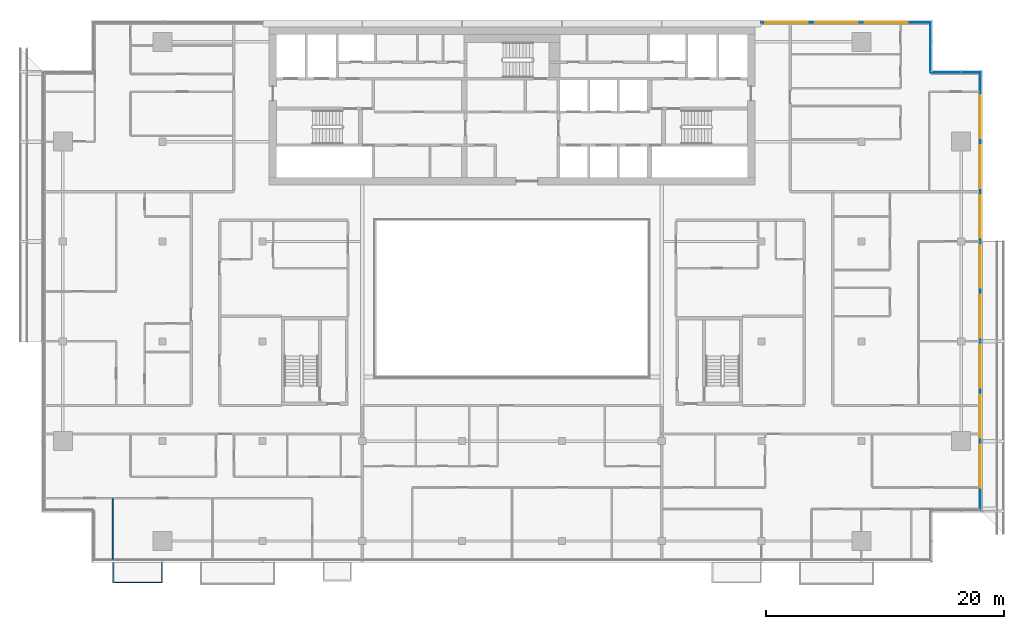
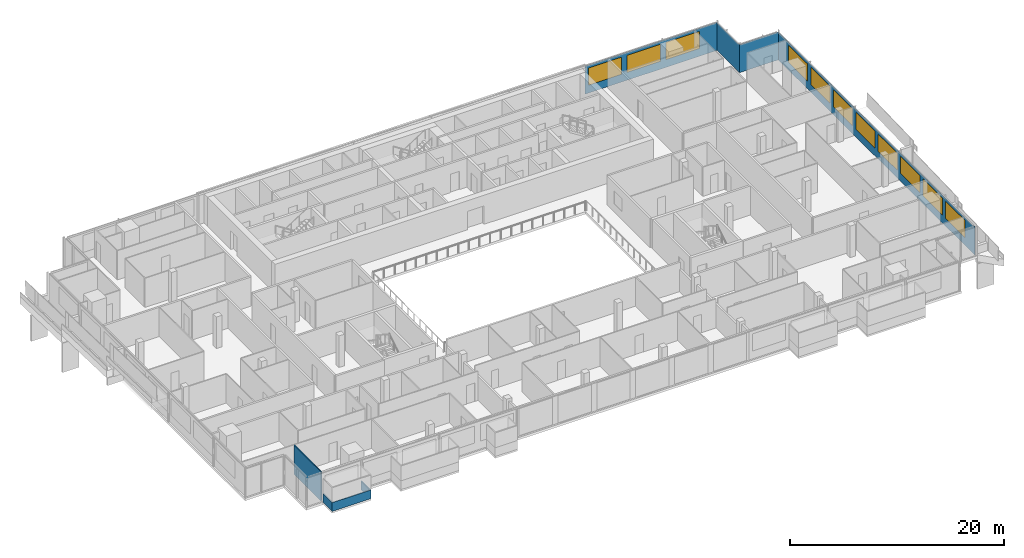
# One storey, part 17 of 29: 11 windows, 4 plates, 2 walls, 11 openings, 4 elements without a shape of their own.
"""IFC4 building model written with IfcOpenShell, lengths in metres."""

import ifcopenshell
import ifcopenshell.guid

model = None  # the IFC model being written
_history = None  # IfcOwnerHistory: only IFC2X3 demands one
_inside = {}  # id of a spatial element -> (the spatial element, [elements in it])
_under = {}  # id of a project, library or spatial element -> (it, [spatial elements below it])
_declared = {}  # id of a project -> (the project, [libraries it declares])
_typed = {}  # id of a type object -> (the type object, [elements of that type])
_made_of = {}  # id of a material, layer set ... -> (it, [elements and type objects made of it])


def new_model(schema):
    """Start an empty IFC model of exactly this schema.

    Asked for "IFC4X3", IfcOpenShell would pick the latest addendum, in which some entities
    have other attributes; the version numbers below select the first issue.
    IFC2X3 requires an IfcOwnerHistory on every rooted entity: one is made here for all.
    """
    global model, _history
    if schema == "IFC4X3":
        model = ifcopenshell.file(schema_version=(4, 3, 0, 0))
    else:
        model = ifcopenshell.file(schema=schema)
    _inside.clear()
    _under.clear()
    _declared.clear()
    _typed.clear()
    _made_of.clear()
    _history = None
    if model.schema == "IFC2X3":
        org = make("IfcOrganization", Name="unknown")
        user = make(
            "IfcPersonAndOrganization",
            ThePerson=make("IfcPerson", FamilyName="unknown"),
            TheOrganization=org,
        )
        app = make(
            "IfcApplication",
            ApplicationDeveloper=org,
            Version="unknown",
            ApplicationFullName="unknown",
            ApplicationIdentifier="unknown",
        )
        _history = make(
            "IfcOwnerHistory",
            OwningUser=user,
            OwningApplication=app,
            ChangeAction="ADDED",
            CreationDate=0,
        )
    return model


def make(cls, **values):
    """One entity of the class cls with the attributes given. An attribute that is None is left unset."""
    return model.create_entity(
        cls, **{name: value for name, value in values.items() if value is not None}
    )


def rooted(cls, **values):
    """An entity with a GlobalId (a new one), such as an element, a storey or a relation."""
    return make(cls, GlobalId=ifcopenshell.guid.new(), OwnerHistory=_history, **values)


def si_unit(unit_type, name, prefix=None):
    """IfcSIUnit, for example si_unit("LENGTHUNIT", "METRE", prefix="MILLI")."""
    return make("IfcSIUnit", UnitType=unit_type, Prefix=prefix, Name=name)


def assignment(units):
    """IfcUnitAssignment: the units of a project."""
    return None if units is None else make("IfcUnitAssignment", Units=units)


def point(xyz):
    """IfcCartesianPoint."""
    return None if xyz is None else make("IfcCartesianPoint", Coordinates=xyz)


def direction(xyz):
    """IfcDirection."""
    return None if xyz is None else make("IfcDirection", DirectionRatios=xyz)


def frame(location, z_axis=None, x_axis=None):
    """IfcAxis2Placement3D, a coordinate frame: its origin and axes. An axis left out is left unset."""
    return make(
        "IfcAxis2Placement3D",
        Location=point(location),
        Axis=direction(z_axis),
        RefDirection=direction(x_axis),
    )


def frame_2d(location, x_axis=None):
    """IfcAxis2Placement2D, a coordinate frame in the plane: its origin and x axis."""
    return make(
        "IfcAxis2Placement2D", Location=point(location), RefDirection=direction(x_axis)
    )


def origin():
    """The frame at (0, 0, 0) with its axes left unset."""
    return frame((0.0, 0.0, 0.0))


def place(relative_to, where):
    """IfcLocalPlacement: puts the frame where relative to a parent placement (None: the world)."""
    return make(
        "IfcLocalPlacement", PlacementRelTo=relative_to, RelativePlacement=where
    )


def context(
    kind, dimensions, precision=None, world=None, true_north=None, identifier=None
):
    """IfcGeometricRepresentationContext, for example the 3D "Model" context."""
    return make(
        "IfcGeometricRepresentationContext",
        ContextIdentifier=identifier,
        ContextType=kind,
        CoordinateSpaceDimension=dimensions,
        Precision=precision,
        WorldCoordinateSystem=world,
        TrueNorth=true_north,
    )


def subcontext(parent, identifier, kind, view, scale=None):
    """IfcGeometricRepresentationSubContext, for example "Body" below "Model"."""
    return make(
        "IfcGeometricRepresentationSubContext",
        ContextIdentifier=identifier,
        ContextType=kind,
        ParentContext=parent,
        TargetScale=scale,
        TargetView=view,
    )


def project(units=None, contexts=None):
    """IfcProject with its units and contexts."""
    return rooted(
        "IfcProject",
        Name="project",
        RepresentationContexts=contexts,
        UnitsInContext=assignment(units),
    )


def spatial(cls, under=None, at=None, **own):
    """A site, building, storey or space (cls), placed at a placement, below another one or the project."""
    s = rooted(cls, ObjectPlacement=at, **own)
    if under is not None:
        _under.setdefault(under.id(), (under, []))[1].append(s)
    return s


def polyline(points):
    """IfcPolyline through the points."""
    return make("IfcPolyline", Points=[point(p) for p in points])


def profile(cls, at=None, kind="AREA", **sizes):
    """A parametric profile (cls). Its sizes go by their IFC names, for example OverallWidth=200.0."""
    return make(cls, ProfileType=kind, Position=at, **sizes)


def rectangle(**sizes):
    """IfcRectangleProfileDef."""
    return profile("IfcRectangleProfileDef", **sizes)


def outline(outer, holes=None, kind="AREA"):
    """IfcArbitraryClosedProfileDef: a profile drawn as a closed curve; with holes, ...WithVoids."""
    if holes is None:
        return make("IfcArbitraryClosedProfileDef", ProfileType=kind, OuterCurve=outer)
    return make(
        "IfcArbitraryProfileDefWithVoids",
        ProfileType=kind,
        OuterCurve=outer,
        InnerCurves=holes,
    )


def extrude(swept, where, along, depth):
    """IfcExtrudedAreaSolid: the profile swept, set in the frame where, extruded along a direction by depth."""
    return make(
        "IfcExtrudedAreaSolid",
        SweptArea=swept,
        Position=where,
        ExtrudedDirection=direction(along),
        Depth=depth,
    )


def shape(context_of_items, identifier, shape_type, items):
    """IfcShapeRepresentation: the items that make up one representation, for example the "Body"."""
    return make(
        "IfcShapeRepresentation",
        ContextOfItems=context_of_items,
        RepresentationIdentifier=identifier,
        RepresentationType=shape_type,
        Items=items,
    )


def material(Name=None, Category=None):
    """IfcMaterial."""
    return make("IfcMaterial", Name=Name, Category=Category)


def layer(
    of_material, thickness, ventilated=None, Name=None, Category=None, Priority=None
):
    """IfcMaterialLayer: one layer of a wall or slab, of a material (None: an air gap)."""
    return make(
        "IfcMaterialLayer",
        Material=of_material,
        LayerThickness=thickness,
        IsVentilated=ventilated,
        Name=Name,
        Category=Category,
        Priority=Priority,
    )


def layer_set(layers, Name=None):
    """IfcMaterialLayerSet."""
    return make("IfcMaterialLayerSet", MaterialLayers=layers, LayerSetName=Name)


def made_of(thing, what):
    """Note that an element or type object is made of a material, layer set ...; save() writes the relation."""
    if what is not None:
        _made_of.setdefault(what.id(), (what, []))[1].append(thing)
    return thing


def type_object(cls, material=None, **own):
    """A type object (cls), such as IfcWallType, which elements share."""
    return made_of(rooted(cls, **own), material)


def element(
    cls,
    number,
    at=None,
    inside=None,
    cuts=None,
    type_object=None,
    material=None,
    context=None,
    identifier="Body",
    shape_type=None,
    held_by="IfcProductDefinitionShape",
    body=None,
    shapes=None,
    **own,
):
    """One element of the class cls, such as IfcWall. Its Tag is "e" and its number.

    at: its placement. inside: the storey or other place that contains it. cuts: it is an
    opening in that element (IfcRelVoidsElement). A single representation is given by context,
    identifier, shape_type and body (its items); several are given by shapes. held_by: the class
    of the entity that holds the representations. save() writes the other relations.
    """
    e = rooted(cls, Tag="e%d" % number, ObjectPlacement=at, **own)
    if body is not None:
        shapes = [shape(context, identifier, shape_type, body)]
    if shapes is not None:
        e.Representation = make(held_by, Representations=shapes)
    if inside is not None:
        _inside.setdefault(inside.id(), (inside, []))[1].append(e)
    if cuts is not None:
        rooted(
            "IfcRelVoidsElement", RelatingBuildingElement=cuts, RelatedOpeningElement=e
        )
    if type_object is not None:
        _typed.setdefault(type_object.id(), (type_object, []))[1].append(e)
    return made_of(e, material)


def fill(opening, filler):
    """IfcRelFillsElement: the door or window that sits in an opening."""
    return rooted(
        "IfcRelFillsElement",
        RelatingOpeningElement=opening,
        RelatedBuildingElement=filler,
    )


def aggregate(whole, parts):
    """IfcRelAggregates: a whole, such as a stair, and the parts it consists of."""
    return rooted("IfcRelAggregates", RelatingObject=whole, RelatedObjects=parts)


def save(model, path):
    """Write the relations noted so far, then the file.

    IfcRelAggregates (storeys below a building ...), IfcRelContainedInSpatialStructure (elements
    in a storey), IfcRelDefinesByType, IfcRelAssociatesMaterial and IfcRelDeclares: one each for
    every whole, place, type object, material and project.
    """
    for whole, parts in _under.values():
        aggregate(whole, parts)
    for where, things in _inside.values():
        rooted(
            "IfcRelContainedInSpatialStructure",
            RelatedElements=things,
            RelatingStructure=where,
        )
    for kind, things in _typed.values():
        rooted("IfcRelDefinesByType", RelatedObjects=things, RelatingType=kind)
    for what, things in _made_of.values():
        rooted("IfcRelAssociatesMaterial", RelatedObjects=things, RelatingMaterial=what)
    for by, libraries in _declared.values():
        rooted("IfcRelDeclares", RelatingContext=by, RelatedDefinitions=libraries)
    model.write(path)


model = new_model("IFC4")

# Units and contexts
model_context = context("Model", 3, precision=1e-05, world=origin(), true_north=direction((0.0, 1.0)))
body_context = subcontext(model_context, "Body", "Model", "MODEL_VIEW")
ifc_project = project(units=[si_unit("LENGTHUNIT", "METRE"), si_unit("AREAUNIT", "SQUARE_METRE"), si_unit("VOLUMEUNIT", "CUBIC_METRE"), si_unit("PLANEANGLEUNIT", "RADIAN"), si_unit("MASSUNIT", "GRAM", prefix="KILO")], contexts=[model_context])

# Site, building, storey
site_placement = place(None, origin())
site = spatial("IfcSite", under=ifc_project, at=site_placement, CompositionType="ELEMENT")
building_placement = place(site_placement, origin())
building = spatial("IfcBuilding", under=site, at=building_placement, Name="Saffron Gate Tower", CompositionType="ELEMENT")
storey_placement = place(building_placement, frame((0.0, 0.0, 219.89990234375)))
storey = spatial("IfcBuildingStorey", under=building, at=storey_placement, Name="L53", CompositionType="ELEMENT", Elevation=219.89990234375)

# Curtain wall, plate, openings, windows
ifc_material_1 = material(Name="Aluminium, bronze anodised", Category="aluminium")
curtain_wall_type_1 = type_object("IfcCurtainWallType", Name="CWS2 curtain wall side facades", PredefinedType="NOTDEFINED", material=ifc_material_1)
curtain_wall_1_placement = place(storey_placement, origin())
curtain_wall_1 = element("IfcCurtainWall", 1, at=curtain_wall_1_placement, inside=storey, type_object=curtain_wall_type_1, Name="CWS2 run 4", PredefinedType="NOTDEFINED")
ifc_material_2 = material(Name="Fritted bronze-tinted laminated glass", Category="glass")
ifc_layer_1 = layer(ifc_material_2, 0.028076171875)
ifc_layer_set_1 = layer_set([ifc_layer_1], Name="CWS2 fixed glass")
plate_type_1 = type_object("IfcPlateType", Name="CWS2 fixed glass", PredefinedType="CURTAIN_PANEL", material=ifc_layer_set_1)
plate_1_placement = place(storey_placement, frame((127.02587890625, 34.387939453125, 0.0), z_axis=(0.0, 0.0, 1.0), x_axis=(0.0, 1.0, 0.0)))
plate_1 = element("IfcPlate", 2, at=plate_1_placement, type_object=plate_type_1, Name="CWS2 glass panel", PredefinedType="CURTAIN_PANEL", context=body_context, shape_type="SweptSolid", body=[
    extrude(rectangle(XDim=36.823974609375, YDim=0.028076171875, at=frame_2d((18.412109375, 0.0))), origin(), (0.0, 0.0, 1.0), 3.2001953125),
])
opening_1_placement = place(plate_1_placement, frame((1.912109375, 0.0, 0.89990234375)))
opening_1 = element("IfcOpeningElement", 3, at=opening_1_placement, cuts=plate_1, Name="Opening W1", PredefinedType="OPENING", context=body_context, shape_type="SweptSolid", body=[
    extrude(rectangle(XDim=3.60009765625, YDim=1.949951171875, at=frame_2d((1.800048828125, 0.97509765625))), frame((0.0, 0.02392578125, 0.0), z_axis=(0.0, -1.0, 0.0), x_axis=(1.0, 0.0, 0.0)), (0.0, 0.0, 1.0), 0.048095703125),
])
opening_2_placement = place(plate_1_placement, frame((6.112060546875, 0.0, 0.89990234375)))
opening_2 = element("IfcOpeningElement", 4, at=opening_2_placement, cuts=plate_1, Name="Opening W1", PredefinedType="OPENING", context=body_context, shape_type="SweptSolid", body=[
    extrude(rectangle(XDim=3.60009765625, YDim=1.949951171875, at=frame_2d((1.800048828125, 0.97509765625))), frame((0.0, 0.02392578125, 0.0), z_axis=(0.0, -1.0, 0.0), x_axis=(1.0, 0.0, 0.0)), (0.0, 0.0, 1.0), 0.048095703125),
])
opening_3_placement = place(plate_1_placement, frame((10.31201171875, 0.0, 0.89990234375)))
opening_3 = element("IfcOpeningElement", 5, at=opening_3_placement, cuts=plate_1, Name="Opening W1", PredefinedType="OPENING", context=body_context, shape_type="SweptSolid", body=[
    extrude(rectangle(XDim=3.60009765625, YDim=1.949951171875, at=frame_2d((1.800048828125, 0.97509765625))), frame((0.0, 0.02392578125, 0.0), z_axis=(0.0, -1.0, 0.0), x_axis=(1.0, 0.0, 0.0)), (0.0, 0.0, 1.0), 0.048095703125),
])
opening_4_placement = place(plate_1_placement, frame((14.511962890625, 0.0, 0.89990234375)))
opening_4 = element("IfcOpeningElement", 6, at=opening_4_placement, cuts=plate_1, Name="Opening W1", PredefinedType="OPENING", context=body_context, shape_type="SweptSolid", body=[
    extrude(rectangle(XDim=3.60009765625, YDim=1.949951171875, at=frame_2d((1.800048828125, 0.97509765625))), frame((0.0, 0.02392578125, 0.0), z_axis=(0.0, -1.0, 0.0), x_axis=(1.0, 0.0, 0.0)), (0.0, 0.0, 1.0), 0.048095703125),
])
opening_5_placement = place(plate_1_placement, frame((18.7119140625, 0.0, 0.89990234375)))
opening_5 = element("IfcOpeningElement", 7, at=opening_5_placement, cuts=plate_1, Name="Opening W1", PredefinedType="OPENING", context=body_context, shape_type="SweptSolid", body=[
    extrude(rectangle(XDim=3.60009765625, YDim=1.949951171875, at=frame_2d((1.800048828125, 0.97509765625))), frame((0.0, 0.02392578125, 0.0), z_axis=(0.0, -1.0, 0.0), x_axis=(1.0, 0.0, 0.0)), (0.0, 0.0, 1.0), 0.048095703125),
])
opening_6_placement = place(plate_1_placement, frame((22.912109375, 0.0, 0.89990234375)))
opening_6 = element("IfcOpeningElement", 8, at=opening_6_placement, cuts=plate_1, Name="Opening W1", PredefinedType="OPENING", context=body_context, shape_type="SweptSolid", body=[
    extrude(rectangle(XDim=3.60009765625, YDim=1.949951171875, at=frame_2d((1.800048828125, 0.97509765625))), frame((0.0, 0.02392578125, 0.0), z_axis=(0.0, -1.0, 0.0), x_axis=(1.0, 0.0, 0.0)), (0.0, 0.0, 1.0), 0.048095703125),
])
opening_7_placement = place(plate_1_placement, frame((27.112060546875, 0.0, 0.89990234375)))
opening_7 = element("IfcOpeningElement", 9, at=opening_7_placement, cuts=plate_1, Name="Opening W1", PredefinedType="OPENING", context=body_context, shape_type="SweptSolid", body=[
    extrude(rectangle(XDim=3.60009765625, YDim=1.949951171875, at=frame_2d((1.800048828125, 0.97509765625))), frame((0.0, 0.02392578125, 0.0), z_axis=(0.0, -1.0, 0.0), x_axis=(1.0, 0.0, 0.0)), (0.0, 0.0, 1.0), 0.048095703125),
])
opening_8_placement = place(plate_1_placement, frame((31.31201171875, 0.0, 0.89990234375)))
opening_8 = element("IfcOpeningElement", 10, at=opening_8_placement, cuts=plate_1, Name="Opening W1", PredefinedType="OPENING", context=body_context, shape_type="SweptSolid", body=[
    extrude(rectangle(XDim=3.60009765625, YDim=1.949951171875, at=frame_2d((1.800048828125, 0.97509765625))), frame((0.0, 0.02392578125, 0.0), z_axis=(0.0, -1.0, 0.0), x_axis=(1.0, 0.0, 0.0)), (0.0, 0.0, 1.0), 0.048095703125),
])
ifc_material_3 = material(Name="Fritted bronze-tinted laminated glass in bronze frame", Category="glass")
ifc_layer_2 = layer(ifc_material_3, 0.06005859375)
ifc_layer_set_2 = layer_set([ifc_layer_2], Name="W1 operable panel 3600x1950")
window_type = type_object("IfcWindowType", Name="W1 operable panel 3600x1950", PartitioningType="DOUBLE_PANEL_HORIZONTAL", PredefinedType="WINDOW", material=ifc_layer_set_2)
window_1_placement = place(opening_1_placement, origin())
window_1 = element("IfcWindow", 11, at=window_1_placement, type_object=window_type, Name="W1 operable panel", OverallHeight=1.949951171875, OverallWidth=3.60009765625, PartitioningType="SINGLE_PANEL", PredefinedType="WINDOW", context=body_context, shape_type="SweptSolid", body=[
    extrude(rectangle(XDim=3.60009765625, YDim=1.949951171875, at=frame_2d((1.800048828125, 0.97509765625))), frame((0.0, 0.013671875, 0.0), z_axis=(0.0, -1.0, 0.0), x_axis=(1.0, 0.0, 0.0)), (0.0, 0.0, 1.0), 0.027587890625),
])
fill(opening_1, window_1)
window_2_placement = place(opening_2_placement, origin())
window_2 = element("IfcWindow", 12, at=window_2_placement, type_object=window_type, Name="W1 operable panel", OverallHeight=1.949951171875, OverallWidth=3.60009765625, PartitioningType="SINGLE_PANEL", PredefinedType="WINDOW", context=body_context, shape_type="SweptSolid", body=[
    extrude(rectangle(XDim=3.60009765625, YDim=1.949951171875, at=frame_2d((1.800048828125, 0.97509765625))), frame((0.0, 0.013671875, 0.0), z_axis=(0.0, -1.0, 0.0), x_axis=(1.0, 0.0, 0.0)), (0.0, 0.0, 1.0), 0.027587890625),
])
fill(opening_2, window_2)
window_3_placement = place(opening_3_placement, origin())
window_3 = element("IfcWindow", 13, at=window_3_placement, type_object=window_type, Name="W1 operable panel", OverallHeight=1.949951171875, OverallWidth=3.60009765625, PartitioningType="SINGLE_PANEL", PredefinedType="WINDOW", context=body_context, shape_type="SweptSolid", body=[
    extrude(rectangle(XDim=3.60009765625, YDim=1.949951171875, at=frame_2d((1.800048828125, 0.97509765625))), frame((0.0, 0.013671875, 0.0), z_axis=(0.0, -1.0, 0.0), x_axis=(1.0, 0.0, 0.0)), (0.0, 0.0, 1.0), 0.027587890625),
])
fill(opening_3, window_3)
window_4_placement = place(opening_4_placement, origin())
window_4 = element("IfcWindow", 14, at=window_4_placement, type_object=window_type, Name="W1 operable panel", OverallHeight=1.949951171875, OverallWidth=3.60009765625, PartitioningType="SINGLE_PANEL", PredefinedType="WINDOW", context=body_context, shape_type="SweptSolid", body=[
    extrude(rectangle(XDim=3.60009765625, YDim=1.949951171875, at=frame_2d((1.800048828125, 0.97509765625))), frame((0.0, 0.013671875, 0.0), z_axis=(0.0, -1.0, 0.0), x_axis=(1.0, 0.0, 0.0)), (0.0, 0.0, 1.0), 0.027587890625),
])
fill(opening_4, window_4)
window_5_placement = place(opening_5_placement, origin())
window_5 = element("IfcWindow", 15, at=window_5_placement, type_object=window_type, Name="W1 operable panel", OverallHeight=1.949951171875, OverallWidth=3.60009765625, PartitioningType="SINGLE_PANEL", PredefinedType="WINDOW", context=body_context, shape_type="SweptSolid", body=[
    extrude(rectangle(XDim=3.60009765625, YDim=1.949951171875, at=frame_2d((1.800048828125, 0.97509765625))), frame((0.0, 0.013671875, 0.0), z_axis=(0.0, -1.0, 0.0), x_axis=(1.0, 0.0, 0.0)), (0.0, 0.0, 1.0), 0.027587890625),
])
fill(opening_5, window_5)
window_6_placement = place(opening_6_placement, origin())
window_6 = element("IfcWindow", 16, at=window_6_placement, type_object=window_type, Name="W1 operable panel", OverallHeight=1.949951171875, OverallWidth=3.60009765625, PartitioningType="SINGLE_PANEL", PredefinedType="WINDOW", context=body_context, shape_type="SweptSolid", body=[
    extrude(rectangle(XDim=3.60009765625, YDim=1.949951171875, at=frame_2d((1.800048828125, 0.97509765625))), frame((0.0, 0.013671875, 0.0), z_axis=(0.0, -1.0, 0.0), x_axis=(1.0, 0.0, 0.0)), (0.0, 0.0, 1.0), 0.027587890625),
])
fill(opening_6, window_6)
window_7_placement = place(opening_7_placement, origin())
window_7 = element("IfcWindow", 17, at=window_7_placement, type_object=window_type, Name="W1 operable panel", OverallHeight=1.949951171875, OverallWidth=3.60009765625, PartitioningType="SINGLE_PANEL", PredefinedType="WINDOW", context=body_context, shape_type="SweptSolid", body=[
    extrude(rectangle(XDim=3.60009765625, YDim=1.949951171875, at=frame_2d((1.800048828125, 0.97509765625))), frame((0.0, 0.013671875, 0.0), z_axis=(0.0, -1.0, 0.0), x_axis=(1.0, 0.0, 0.0)), (0.0, 0.0, 1.0), 0.027587890625),
])
fill(opening_7, window_7)
window_8_placement = place(opening_8_placement, origin())
window_8 = element("IfcWindow", 18, at=window_8_placement, type_object=window_type, Name="W1 operable panel", OverallHeight=1.949951171875, OverallWidth=3.60009765625, PartitioningType="SINGLE_PANEL", PredefinedType="WINDOW", context=body_context, shape_type="SweptSolid", body=[
    extrude(rectangle(XDim=3.60009765625, YDim=1.949951171875, at=frame_2d((1.800048828125, 0.97509765625))), frame((0.0, 0.013671875, 0.0), z_axis=(0.0, -1.0, 0.0), x_axis=(1.0, 0.0, 0.0)), (0.0, 0.0, 1.0), 0.027587890625),
])
fill(opening_8, window_8)
aggregate(curtain_wall_1, [plate_1, window_1, window_2, window_3, window_4, window_5, window_6, window_7, window_8])

curtain_wall_type_2 = type_object("IfcCurtainWallType", Name="CWS3 curtain wall rear facade", PredefinedType="NOTDEFINED", material=ifc_material_1)
curtain_wall_2_placement = place(storey_placement, origin())
curtain_wall_2 = element("IfcCurtainWall", 19, at=curtain_wall_2_placement, inside=storey, type_object=curtain_wall_type_2, Name="CWS3 run 7", PredefinedType="NOTDEFINED")
ifc_material_4 = material(Name="Fritted grey-tinted laminated glass", Category="glass")
ifc_layer_3 = layer(ifc_material_4, 0.028076171875)
ifc_layer_set_3 = layer_set([ifc_layer_3], Name="CWS3 fixed glass")
plate_type_2 = type_object("IfcPlateType", Name="CWS3 fixed glass", PredefinedType="CURTAIN_PANEL", material=ifc_layer_set_3)
plate_2_placement = place(storey_placement, frame((122.81201171875, 75.426025390625, 0.0), z_axis=(0.0, 0.0, 1.0), x_axis=(-1.0, 0.0, 0.0)))
plate_2 = element("IfcPlate", 20, at=plate_2_placement, type_object=plate_type_2, Name="CWS3 glass panel", PredefinedType="CURTAIN_PANEL", context=body_context, shape_type="SweptSolid", body=[
    extrude(rectangle(XDim=14.2470703125, YDim=0.028076171875, at=frame_2d((7.12353515625, 0.0))), origin(), (0.0, 0.0, 1.0), 3.2001953125),
])
opening_9_placement = place(plate_2_placement, frame((1.912109375, 0.0, 0.89990234375)))
opening_9 = element("IfcOpeningElement", 21, at=opening_9_placement, cuts=plate_2, Name="Opening W1", PredefinedType="OPENING", context=body_context, shape_type="SweptSolid", body=[
    extrude(rectangle(XDim=3.60009765625, YDim=1.949951171875, at=frame_2d((1.800048828125, 0.97509765625))), frame((0.0, 0.02392578125, 0.0), z_axis=(0.0, -1.0, 0.0), x_axis=(1.0, 0.0, 0.0)), (0.0, 0.0, 1.0), 0.048095703125),
])
opening_10_placement = place(plate_2_placement, frame((6.112060546875, 0.0, 0.89990234375)))
opening_10 = element("IfcOpeningElement", 22, at=opening_10_placement, cuts=plate_2, Name="Opening W1", PredefinedType="OPENING", context=body_context, shape_type="SweptSolid", body=[
    extrude(rectangle(XDim=3.60009765625, YDim=1.949951171875, at=frame_2d((1.800048828125, 0.97509765625))), frame((0.0, 0.02392578125, 0.0), z_axis=(0.0, -1.0, 0.0), x_axis=(1.0, 0.0, 0.0)), (0.0, 0.0, 1.0), 0.048095703125),
])
opening_11_placement = place(plate_2_placement, frame((10.31201171875, 0.0, 0.89990234375)))
opening_11 = element("IfcOpeningElement", 23, at=opening_11_placement, cuts=plate_2, Name="Opening W1", PredefinedType="OPENING", context=body_context, shape_type="SweptSolid", body=[
    extrude(rectangle(XDim=3.60009765625, YDim=1.949951171875, at=frame_2d((1.800048828125, 0.97509765625))), frame((0.0, 0.02392578125, 0.0), z_axis=(0.0, -1.0, 0.0), x_axis=(1.0, 0.0, 0.0)), (0.0, 0.0, 1.0), 0.048095703125),
])
window_9_placement = place(opening_9_placement, origin())
window_9 = element("IfcWindow", 24, at=window_9_placement, type_object=window_type, Name="W1 operable panel", OverallHeight=1.949951171875, OverallWidth=3.60009765625, PartitioningType="SINGLE_PANEL", PredefinedType="WINDOW", context=body_context, shape_type="SweptSolid", body=[
    extrude(rectangle(XDim=3.60009765625, YDim=1.949951171875, at=frame_2d((1.800048828125, 0.97509765625))), frame((0.0, 0.013671875, 0.0), z_axis=(0.0, -1.0, 0.0), x_axis=(1.0, 0.0, 0.0)), (0.0, 0.0, 1.0), 0.027587890625),
])
fill(opening_9, window_9)
window_10_placement = place(opening_10_placement, origin())
window_10 = element("IfcWindow", 25, at=window_10_placement, type_object=window_type, Name="W1 operable panel", OverallHeight=1.949951171875, OverallWidth=3.60009765625, PartitioningType="SINGLE_PANEL", PredefinedType="WINDOW", context=body_context, shape_type="SweptSolid", body=[
    extrude(rectangle(XDim=3.60009765625, YDim=1.949951171875, at=frame_2d((1.800048828125, 0.97509765625))), frame((0.0, 0.013671875, 0.0), z_axis=(0.0, -1.0, 0.0), x_axis=(1.0, 0.0, 0.0)), (0.0, 0.0, 1.0), 0.027587890625),
])
fill(opening_10, window_10)
window_11_placement = place(opening_11_placement, origin())
window_11 = element("IfcWindow", 26, at=window_11_placement, type_object=window_type, Name="W1 operable panel", OverallHeight=1.949951171875, OverallWidth=3.60009765625, PartitioningType="SINGLE_PANEL", PredefinedType="WINDOW", context=body_context, shape_type="SweptSolid", body=[
    extrude(rectangle(XDim=3.60009765625, YDim=1.949951171875, at=frame_2d((1.800048828125, 0.97509765625))), frame((0.0, 0.013671875, 0.0), z_axis=(0.0, -1.0, 0.0), x_axis=(1.0, 0.0, 0.0)), (0.0, 0.0, 1.0), 0.027587890625),
])
fill(opening_11, window_11)
aggregate(curtain_wall_2, [plate_2, window_9, window_10, window_11])

# Curtain wall, plate
curtain_wall_type_3 = type_object("IfcCurtainWallType", Name="CWS4 curtain wall corner returns", PredefinedType="NOTDEFINED", material=ifc_material_1)
curtain_wall_3_placement = place(storey_placement, origin())
curtain_wall_3 = element("IfcCurtainWall", 27, at=curtain_wall_3_placement, inside=storey, type_object=curtain_wall_type_3, Name="CWS4 run 5", PredefinedType="NOTDEFINED")
ifc_layer_4 = layer(ifc_material_2, 0.028076171875)
ifc_layer_set_4 = layer_set([ifc_layer_4], Name="CWS4 fixed glass")
plate_type_3 = type_object("IfcPlateType", Name="CWS4 fixed glass", PredefinedType="CURTAIN_PANEL", material=ifc_layer_set_4)
plate_3_placement = place(storey_placement, frame((127.011962890625, 71.22607421875, 0.0), z_axis=(0.0, 0.0, 1.0), x_axis=(-1.0, 0.0, 0.0)))
plate_3 = element("IfcPlate", 28, at=plate_3_placement, type_object=plate_type_3, Name="CWS4 glass panel", PredefinedType="CURTAIN_PANEL", context=body_context, shape_type="SweptSolid", body=[
    extrude(rectangle(XDim=4.171875, YDim=0.028076171875, at=frame_2d((2.0859375, 0.0))), origin(), (0.0, 0.0, 1.0), 3.2001953125),
])
aggregate(curtain_wall_3, [plate_3])

curtain_wall_4_placement = place(storey_placement, origin())
curtain_wall_4 = element("IfcCurtainWall", 29, at=curtain_wall_4_placement, inside=storey, type_object=curtain_wall_type_3, Name="CWS4 run 6", PredefinedType="NOTDEFINED")
plate_4_placement = place(storey_placement, frame((122.825927734375, 71.239990234375, 0.0), z_axis=(0.0, 0.0, 1.0), x_axis=(0.0, 1.0, 0.0)))
plate_4 = element("IfcPlate", 30, at=plate_4_placement, type_object=plate_type_3, Name="CWS4 glass panel", PredefinedType="CURTAIN_PANEL", context=body_context, shape_type="SweptSolid", body=[
    extrude(rectangle(XDim=4.172119140625, YDim=0.028076171875, at=frame_2d((2.0859375, 0.0))), origin(), (0.0, 0.0, 1.0), 3.2001953125),
])
aggregate(curtain_wall_4, [plate_4])

# Walls
ifc_material_5 = material(Name="Plasterboard on steel studs", Category="steel")
ifc_layer_5 = layer(ifc_material_5, 0.10009765625)
ifc_layer_set_5 = layer_set([ifc_layer_5], Name="PW1 Partition 100")
wall_type_1 = type_object("IfcWallType", Name="PW1 Partition 100", PredefinedType="PARTITIONING", material=ifc_layer_set_5)
wall_1_placement = place(storey_placement, frame((54.0, 35.35009765625, 0.0), z_axis=(0.0, 0.0, 1.0), x_axis=(0.0, -1.0, 0.0)))
element("IfcWall", 31, at=wall_1_placement, inside=storey, type_object=wall_type_1, Name="Partition D2-59", PredefinedType="PARTITIONING", context=body_context, shape_type="SweptSolid", body=[
    extrude(rectangle(XDim=5.070068359375, YDim=0.10009765625, at=frame_2d((2.53515625, 0.0))), origin(), (0.0, 0.0, 1.0), 3.320068359375),
])
ifc_material_6 = material(Name="Rendered insulated panel, white")
ifc_layer_6 = layer(ifc_material_6, 0.10009765625)
ifc_layer_set_6 = layer_set([ifc_layer_6], Name="WB3 box parapet white")
wall_type_2 = type_object("IfcWallType", Name="WB3 box parapet white", PredefinedType="SOLIDWALL", material=ifc_layer_set_6)
wall_2_placement = place(storey_placement, origin())
element("IfcWall", 32, at=wall_2_placement, inside=storey, type_object=wall_type_2, Name="WINDOW BOX parapet", PredefinedType="SOLIDWALL", context=body_context, shape_type="SweptSolid", body=[
    extrude(outline(polyline([(54.0, 30.0), (54.10009765625, 30.0), (54.10009765625, 28.366943359375), (58.10009765625, 28.366943359375), (58.10009765625, 30.0), (58.199951171875, 30.0), (58.199951171875, 28.26708984375), (54.0, 28.26708984375), (54.0, 30.0)])), origin(), (0.0, 0.0, 1.0), 1.0),
])

save(model, "model.ifc")
